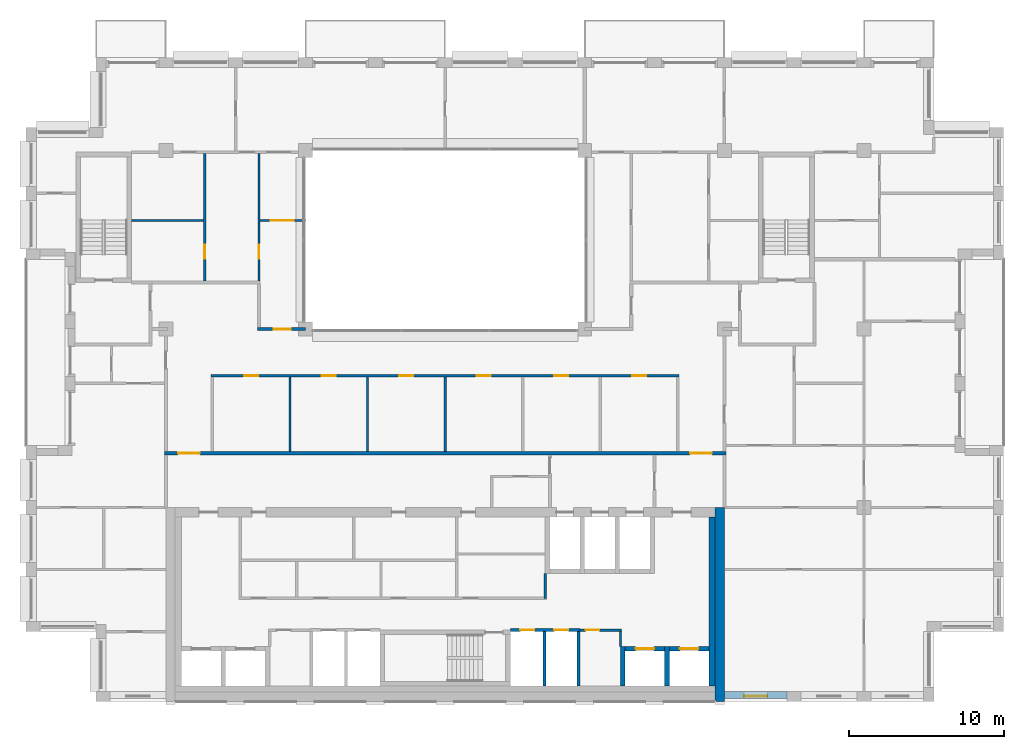
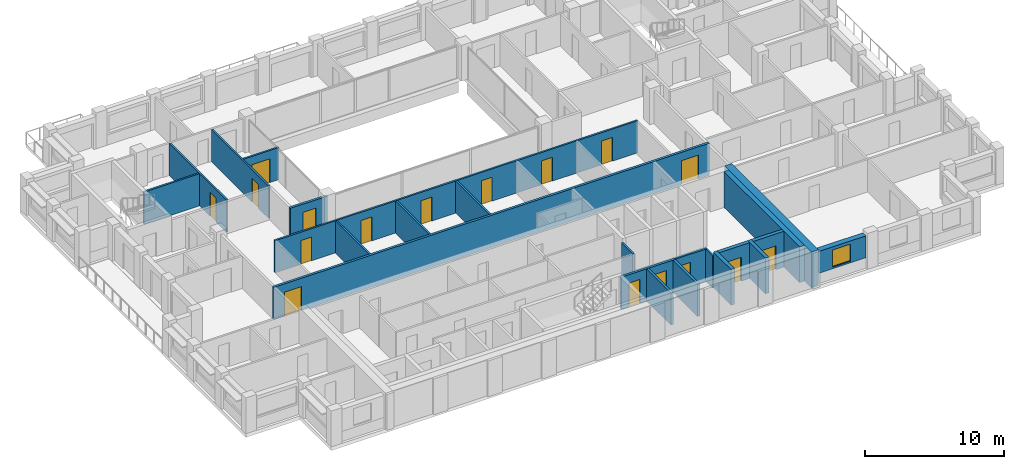
# One storey, part 10 of 15: 23 walls, 17 doors, 1 window, 18 openings.
"""IFC4 building model written with IfcOpenShell, lengths in metres."""

from ifc_helpers import new_model, si_unit, direction, frame, frame_2d, origin, place, context, subcontext, project, spatial, rectangle, extrude, material, layer, layer_set, type_object, element, fill, save


model = new_model("IFC4")

# Units and contexts
model_context = context("Model", 3, precision=1e-05, world=origin(), true_north=direction((0.0, 1.0)))
body_context = subcontext(model_context, "Body", "Model", "MODEL_VIEW")
ifc_project = project(units=[si_unit("LENGTHUNIT", "METRE"), si_unit("AREAUNIT", "SQUARE_METRE"), si_unit("VOLUMEUNIT", "CUBIC_METRE"), si_unit("PLANEANGLEUNIT", "RADIAN"), si_unit("MASSUNIT", "GRAM", prefix="KILO")], contexts=[model_context])

# Site, building, storey
site_placement = place(None, origin())
site = spatial("IfcSite", under=ifc_project, at=site_placement, CompositionType="ELEMENT")
building_placement = place(site_placement, origin())
building = spatial("IfcBuilding", under=site, at=building_placement, Name="Brigalow Station Residences", CompositionType="ELEMENT")
storey_placement = place(building_placement, frame((0.0, 0.0, 210.60009765625)))
storey = spatial("IfcBuildingStorey", under=building, at=storey_placement, Name="L60", CompositionType="ELEMENT", Elevation=210.60009765625)

# Wall, opening, window
ifc_material_1 = material(Name="Clay brick masonry", Category="masonry")
ifc_layer_1 = layer(ifc_material_1, 0.449951171875)
ifc_layer_set_1 = layer_set([ifc_layer_1], Name="BRICK INFILL WALL 450")
wall_type_1 = type_object("IfcWallType", Name="BRICK INFILL WALL 450", PredefinedType="SOLIDWALL", material=ifc_layer_set_1)
wall_1_placement = place(storey_placement, frame((54.0, 0.425048828125, 0.89990234375), z_axis=(0.0, 0.0, 1.0), x_axis=(1.0, 0.0, 0.0)))
wall_1 = element("IfcWall", 1, at=wall_1_placement, inside=storey, type_object=wall_type_1, Name="L60/ewall/W-L60-3", PredefinedType="SOLIDWALL", context=body_context, shape_type="SweptSolid", body=[
    extrude(rectangle(XDim=4.050048828125, YDim=0.449951171875, at=frame_2d((2.02490234375, 0.0))), origin(), (0.0, 0.0, 1.0), 1.929931640625),
])
opening_1_placement = place(wall_1_placement, frame((1.27490234375, 0.0, 0.14990234375)))
opening_1 = element("IfcOpeningElement", 2, at=opening_1_placement, cuts=wall_1, Name="Opening WT-1", PredefinedType="OPENING", context=body_context, shape_type="SweptSolid", body=[
    extrude(rectangle(XDim=1.5, YDim=1.5, at=frame_2d((0.75, 0.75))), frame((0.0, 0.23486328125, 0.0), z_axis=(0.0, -1.0, 0.0), x_axis=(1.0, 0.0, 0.0)), (0.0, 0.0, 1.0), 0.469970703125),
])
ifc_material_2 = material(Name="Anodised aluminium frame with double glazing", Category="aluminium")
window_type = type_object("IfcWindowType", Name="WINDOW 1500x1500", PartitioningType="SINGLE_PANEL", PredefinedType="WINDOW", material=ifc_material_2)
window_placement = place(opening_1_placement, origin())
window = element("IfcWindow", 3, at=window_placement, inside=storey, type_object=window_type, Name="L60/window/W-L60-3", OverallHeight=1.5, OverallWidth=1.5, PartitioningType="SINGLE_PANEL", PredefinedType="WINDOW", context=body_context, shape_type="SweptSolid", body=[
    extrude(rectangle(XDim=1.5, YDim=1.5, at=frame_2d((0.75, 0.75))), frame((0.0, -0.06494140625, 0.0), z_axis=(0.0, -1.0, 0.0), x_axis=(1.0, 0.0, 0.0)), (0.0, 0.0, 1.0), 0.06005859375),
])
fill(opening_1, window)

# Wall, opening, door
ifc_material_3 = material(Name="Concrete C50", Category="concrete")
ifc_layer_2 = layer(ifc_material_3, 0.300048828125)
ifc_layer_set_2 = layer_set([ifc_layer_2], Name="CORE SHEAR WALL 300 C50")
wall_type_2 = type_object("IfcWallType", Name="CORE SHEAR WALL 300 C50", PredefinedType="SHEAR", material=ifc_layer_set_2)
wall_2_placement = place(storey_placement, frame((47.60009765625, 3.39990234375, 0.0), z_axis=(0.0, 0.0, 1.0), x_axis=(1.0, 0.0, 0.0)))
wall_2 = element("IfcWall", 4, at=wall_2_placement, inside=storey, type_object=wall_type_2, Name="CORE WALL SH-C3-N L60", PredefinedType="SHEAR", context=body_context, shape_type="SweptSolid", body=[
    extrude(rectangle(XDim=2.5498046875, YDim=0.300048828125, at=frame_2d((1.27490234375, 0.0))), origin(), (0.0, 0.0, 1.0), 3.14990234375),
])
opening_2_placement = place(wall_2_placement, frame((0.675048828125, 0.0, 0.0)))
opening_2 = element("IfcOpeningElement", 5, at=opening_2_placement, cuts=wall_2, Name="Opening LD-LB3", PredefinedType="OPENING", context=body_context, shape_type="SweptSolid", body=[
    extrude(rectangle(XDim=1.199951171875, YDim=2.10009765625, at=frame_2d((0.60009765625, 1.050048828125))), frame((0.0, 0.16015625, 0.0), z_axis=(0.0, -1.0, 0.0), x_axis=(1.0, 0.0, 0.0)), (0.0, 0.0, 1.0), 0.320068359375),
])
ifc_material_4 = material(Name="Stainless steel sliding door leaves", Category="steel")
door_type_1 = type_object("IfcDoorType", Name="LIFT LANDING DOOR 1200 x 2100", OperationType="DOUBLE_DOOR_SLIDING", PredefinedType="DOOR", material=ifc_material_4)
door_1_placement = place(opening_2_placement, origin())
door_1 = element("IfcDoor", 6, at=door_1_placement, inside=storey, type_object=door_type_1, Name="LANDING DOOR LB3", OperationType="DOUBLE_DOOR_SLIDING", OverallHeight=2.10009765625, OverallWidth=1.199951171875, PredefinedType="DOOR", context=body_context, shape_type="SweptSolid", body=[
    extrude(rectangle(XDim=1.199951171875, YDim=2.10009765625, at=frame_2d((0.60009765625, 1.050048828125))), frame((0.0, 0.02490234375, 0.0), z_axis=(0.0, -1.0, 0.0), x_axis=(1.0, 0.0, 0.0)), (0.0, 0.0, 1.0), 0.050048828125),
])
fill(opening_2, door_1)

# Wall
wall_3_placement = place(storey_placement, frame((47.449951171875, 1.0, 0.0), z_axis=(0.0, 0.0, 1.0), x_axis=(0.0, 1.0, 0.0)))
element("IfcWall", 7, at=wall_3_placement, inside=storey, type_object=wall_type_2, Name="CORE WALL SH-C3-W L60", PredefinedType="SHEAR", context=body_context, shape_type="SweptSolid", body=[
    extrude(rectangle(XDim=2.550048828125, YDim=0.300048828125, at=frame_2d((1.27490234375, 0.0))), origin(), (0.0, 0.0, 1.0), 3.14990234375),
])

# Wall, opening, door
wall_4_placement = place(storey_placement, frame((50.449951171875, 3.39990234375, 0.0), z_axis=(0.0, 0.0, 1.0), x_axis=(1.0, 0.0, 0.0)))
wall_4 = element("IfcWall", 8, at=wall_4_placement, inside=storey, type_object=wall_type_2, Name="CORE WALL SH-C4-N L60", PredefinedType="SHEAR", context=body_context, shape_type="SweptSolid", body=[
    extrude(rectangle(XDim=2.550048828125, YDim=0.300048828125, at=frame_2d((1.27490234375, 0.0))), origin(), (0.0, 0.0, 1.0), 3.14990234375),
])
opening_3_placement = place(wall_4_placement, frame((0.675048828125, 0.0, 0.0)))
opening_3 = element("IfcOpeningElement", 9, at=opening_3_placement, cuts=wall_4, Name="Opening LD-LB4", PredefinedType="OPENING", context=body_context, shape_type="SweptSolid", body=[
    extrude(rectangle(XDim=1.199951171875, YDim=2.10009765625, at=frame_2d((0.60009765625, 1.050048828125))), frame((0.0, 0.16015625, 0.0), z_axis=(0.0, -1.0, 0.0), x_axis=(1.0, 0.0, 0.0)), (0.0, 0.0, 1.0), 0.320068359375),
])
door_2_placement = place(opening_3_placement, origin())
door_2 = element("IfcDoor", 10, at=door_2_placement, inside=storey, type_object=door_type_1, Name="LANDING DOOR LB4", OperationType="DOUBLE_DOOR_SLIDING", OverallHeight=2.10009765625, OverallWidth=1.199951171875, PredefinedType="DOOR", context=body_context, shape_type="SweptSolid", body=[
    extrude(rectangle(XDim=1.199951171875, YDim=2.10009765625, at=frame_2d((0.60009765625, 1.050048828125))), frame((0.0, 0.02490234375, 0.0), z_axis=(0.0, -1.0, 0.0), x_axis=(1.0, 0.0, 0.0)), (0.0, 0.0, 1.0), 0.050048828125),
])
fill(opening_3, door_2)

# Walls
wall_5_placement = place(storey_placement, frame((50.300048828125, 1.0, 0.0), z_axis=(0.0, 0.0, 1.0), x_axis=(0.0, 1.0, 0.0)))
element("IfcWall", 11, at=wall_5_placement, inside=storey, type_object=wall_type_2, Name="CORE WALL SH-C4-W L60", PredefinedType="SHEAR", context=body_context, shape_type="SweptSolid", body=[
    extrude(rectangle(XDim=2.550048828125, YDim=0.300048828125, at=frame_2d((1.27490234375, 0.0))), origin(), (0.0, 0.0, 1.0), 3.14990234375),
])
ifc_material_5 = material(Name="Concrete C50", Category="concrete")
ifc_layer_3 = layer(ifc_material_5, 0.39990234375)
ifc_layer_set_3 = layer_set([ifc_layer_3], Name="CORE SHEAR WALL 400 C50")
wall_type_3 = type_object("IfcWallType", Name="CORE SHEAR WALL 400 C50", PredefinedType="SHEAR", material=ifc_layer_set_3)
wall_6_placement = place(storey_placement, frame((53.199951171875, 1.0, 0.0), z_axis=(0.0, 0.0, 1.0), x_axis=(0.0, 1.0, 0.0)))
element("IfcWall", 12, at=wall_6_placement, inside=storey, type_object=wall_type_3, Name="CORE WALL LIN-E L60", PredefinedType="SHEAR", context=body_context, shape_type="SweptSolid", body=[
    extrude(rectangle(XDim=10.89990234375, YDim=0.39990234375, at=frame_2d((5.449951171875, 0.0))), origin(), (0.0, 0.0, 1.0), 3.14990234375),
])
ifc_material_6 = material(Name="Concrete C50", Category="concrete")
ifc_layer_4 = layer(ifc_material_6, 0.60009765625)
ifc_layer_set_4 = layer_set([ifc_layer_4], Name="CORE SHEAR WALL 600 C50")
wall_type_4 = type_object("IfcWallType", Name="CORE SHEAR WALL 600 C50", PredefinedType="SHEAR", material=ifc_layer_set_4)
wall_7_placement = place(storey_placement, frame((53.699951171875, 0.0, 0.0), z_axis=(0.0, 0.0, 1.0), x_axis=(0.0, 1.0, 0.0)))
element("IfcWall", 13, at=wall_7_placement, inside=storey, type_object=wall_type_4, Name="CORE WALL OUT-E L60", PredefinedType="SHEAR", context=body_context, shape_type="SweptSolid", body=[
    extrude(rectangle(XDim=12.5, YDim=0.60009765625, at=frame_2d((6.25, 0.0))), origin(), (0.0, 0.0, 1.0), 3.14990234375),
])

# Wall, openings, doors
ifc_material_7 = material(Name="Concrete blockwork", Category="masonry")
ifc_layer_5 = layer(ifc_material_7, 0.199951171875)
ifc_layer_set_5 = layer_set([ifc_layer_5], Name="FIRE RATED CORE PARTITION 200")
wall_type_5 = type_object("IfcWallType", Name="FIRE RATED CORE PARTITION 200", PredefinedType="PARTITIONING", material=ifc_layer_set_5)
wall_8_placement = place(storey_placement, frame((40.199951171875, 4.60009765625, 0.0), z_axis=(0.0, 0.0, 1.0), x_axis=(1.0, 0.0, 0.0)))
wall_8 = element("IfcWall", 14, at=wall_8_placement, inside=storey, type_object=wall_type_5, Name="PW-5018", PredefinedType="PARTITIONING", context=body_context, shape_type="SweptSolid", body=[
    extrude(rectangle(XDim=4.5, YDim=0.199951171875, at=frame_2d((2.25, 0.0))), origin(), (0.0, 0.0, 1.0), 2.829833984375),
])
opening_4_placement = place(wall_8_placement, frame((0.64990234375, 0.0, 0.0)))
opening_4 = element("IfcOpeningElement", 15, at=opening_4_placement, cuts=wall_8, Name="Opening D-5009", PredefinedType="OPENING", context=body_context, shape_type="SweptSolid", body=[
    extrude(rectangle(XDim=0.89990234375, YDim=2.10009765625, at=frame_2d((0.449951171875, 1.050048828125))), frame((0.0, 0.10986328125, 0.0), z_axis=(0.0, -1.0, 0.0), x_axis=(1.0, 0.0, 0.0)), (0.0, 0.0, 1.0), 0.219970703125),
])
opening_5_placement = place(wall_8_placement, frame((2.85009765625, 0.0, 0.0)))
opening_5 = element("IfcOpeningElement", 16, at=opening_5_placement, cuts=wall_8, Name="Opening D-5010", PredefinedType="OPENING", context=body_context, shape_type="SweptSolid", body=[
    extrude(rectangle(XDim=0.89990234375, YDim=2.10009765625, at=frame_2d((0.449951171875, 1.050048828125))), frame((0.0, 0.10986328125, 0.0), z_axis=(0.0, -1.0, 0.0), x_axis=(1.0, 0.0, 0.0)), (0.0, 0.0, 1.0), 0.219970703125),
])
ifc_material_8 = material(Name="Steel fire door leaf in steel frame", Category="steel")
door_type_2 = type_object("IfcDoorType", Name="RISER ACCESS DOOR 900 x 2100 FD120", OperationType="SINGLE_SWING_LEFT", PredefinedType="DOOR", material=ifc_material_8)
door_3_placement = place(opening_4_placement, frame((0.89990234375, 0.0, 0.0), z_axis=(0.0, 0.0, 1.0), x_axis=(-1.0, 0.0, 0.0)))
door_3 = element("IfcDoor", 17, at=door_3_placement, inside=storey, type_object=door_type_2, Name="D-5009", OperationType="SINGLE_SWING_LEFT", OverallHeight=2.10009765625, OverallWidth=0.89990234375, PredefinedType="DOOR", context=body_context, shape_type="SweptSolid", body=[
    extrude(rectangle(XDim=0.89990234375, YDim=2.10009765625, at=frame_2d((0.449951171875, 1.050048828125))), frame((0.0, 0.02490234375, 0.0), z_axis=(0.0, -1.0, 0.0), x_axis=(1.0, 0.0, 0.0)), (0.0, 0.0, 1.0), 0.050048828125),
])
fill(opening_4, door_3)
door_4_placement = place(opening_5_placement, frame((0.89990234375, 0.0, 0.0), z_axis=(0.0, 0.0, 1.0), x_axis=(-1.0, 0.0, 0.0)))
door_4 = element("IfcDoor", 18, at=door_4_placement, inside=storey, type_object=door_type_2, Name="D-5010", OperationType="SINGLE_SWING_LEFT", OverallHeight=2.10009765625, OverallWidth=0.89990234375, PredefinedType="DOOR", context=body_context, shape_type="SweptSolid", body=[
    extrude(rectangle(XDim=0.89990234375, YDim=2.10009765625, at=frame_2d((0.449951171875, 1.050048828125))), frame((0.0, 0.02490234375, 0.0), z_axis=(0.0, -1.0, 0.0), x_axis=(1.0, 0.0, 0.0)), (0.0, 0.0, 1.0), 0.050048828125),
])
fill(opening_5, door_4)

# Walls
for number, where, z_axis, x_axis, name in (
    (19, (42.39990234375, 1.0, 0.0), (0.0, 0.0, 1.0), (0.0, 1.0, 0.0), "PW-5007"),
    (20, (44.60009765625, 1.0, 0.0), (0.0, 0.0, 1.0), (0.0, 1.0, 0.0), "PW-5008"),
):
    element("IfcWall", number, at=place(storey_placement, frame(where, z_axis=z_axis, x_axis=x_axis)), inside=storey, type_object=wall_type_5, Name=name, PredefinedType="PARTITIONING", context=body_context, shape_type="SweptSolid", body=[
        extrude(rectangle(XDim=3.5, YDim=0.199951171875, at=frame_2d((1.75, 0.0))), origin(), (0.0, 0.0, 1.0), 2.829833984375),
    ])

# Wall, openings, doors
ifc_material_9 = material(Name="Plasterboard on steel stud partition", Category="steel")
ifc_layer_6 = layer(ifc_material_9, 0.14990234375)
ifc_layer_set_6 = layer_set([ifc_layer_6], Name="FLAT PARTITION 150")
wall_type_6 = type_object("IfcWallType", Name="FLAT PARTITION 150", PredefinedType="PARTITIONING", material=ifc_layer_set_6)
wall_9_placement = place(storey_placement, frame((20.925048828125, 21.0, 0.0), z_axis=(0.0, 0.0, 1.0), x_axis=(1.0, 0.0, 0.0)))
wall_9 = element("IfcWall", 21, at=wall_9_placement, inside=storey, type_object=wall_type_6, Name="PW-4B05", PredefinedType="PARTITIONING", context=body_context, shape_type="SweptSolid", body=[
    extrude(rectangle(XDim=30.14990234375, YDim=0.14990234375, at=frame_2d((15.074951171875, 0.0))), origin(), (0.0, 0.0, 1.0), 2.829833984375),
])
opening_6_placement = place(wall_9_placement, frame((2.125, 0.0, 0.0)))
opening_6 = element("IfcOpeningElement", 22, at=opening_6_placement, cuts=wall_9, Name="Opening D-4B42", PredefinedType="OPENING", context=body_context, shape_type="SweptSolid", body=[
    extrude(rectangle(XDim=0.89990234375, YDim=2.10009765625, at=frame_2d((0.449951171875, 1.050048828125))), frame((0.0, 0.0849609375, 0.0), z_axis=(0.0, -1.0, 0.0), x_axis=(1.0, 0.0, 0.0)), (0.0, 0.0, 1.0), 0.169921875),
])
opening_7_placement = place(wall_9_placement, frame((7.125, 0.0, 0.0)))
opening_7 = element("IfcOpeningElement", 23, at=opening_7_placement, cuts=wall_9, Name="Opening D-4B43", PredefinedType="OPENING", context=body_context, shape_type="SweptSolid", body=[
    extrude(rectangle(XDim=0.89990234375, YDim=2.10009765625, at=frame_2d((0.449951171875, 1.050048828125))), frame((0.0, 0.0849609375, 0.0), z_axis=(0.0, -1.0, 0.0), x_axis=(1.0, 0.0, 0.0)), (0.0, 0.0, 1.0), 0.169921875),
])
opening_8_placement = place(wall_9_placement, frame((12.125, 0.0, 0.0)))
opening_8 = element("IfcOpeningElement", 24, at=opening_8_placement, cuts=wall_9, Name="Opening D-4B44", PredefinedType="OPENING", context=body_context, shape_type="SweptSolid", body=[
    extrude(rectangle(XDim=0.89990234375, YDim=2.10009765625, at=frame_2d((0.449951171875, 1.050048828125))), frame((0.0, 0.0849609375, 0.0), z_axis=(0.0, -1.0, 0.0), x_axis=(1.0, 0.0, 0.0)), (0.0, 0.0, 1.0), 0.169921875),
])
opening_9_placement = place(wall_9_placement, frame((17.125, 0.0, 0.0)))
opening_9 = element("IfcOpeningElement", 25, at=opening_9_placement, cuts=wall_9, Name="Opening D-4B45", PredefinedType="OPENING", context=body_context, shape_type="SweptSolid", body=[
    extrude(rectangle(XDim=0.89990234375, YDim=2.10009765625, at=frame_2d((0.449951171875, 1.050048828125))), frame((0.0, 0.0849609375, 0.0), z_axis=(0.0, -1.0, 0.0), x_axis=(1.0, 0.0, 0.0)), (0.0, 0.0, 1.0), 0.169921875),
])
opening_10_placement = place(wall_9_placement, frame((22.125, 0.0, 0.0)))
opening_10 = element("IfcOpeningElement", 26, at=opening_10_placement, cuts=wall_9, Name="Opening D-4B46", PredefinedType="OPENING", context=body_context, shape_type="SweptSolid", body=[
    extrude(rectangle(XDim=0.89990234375, YDim=2.10009765625, at=frame_2d((0.449951171875, 1.050048828125))), frame((0.0, 0.0849609375, 0.0), z_axis=(0.0, -1.0, 0.0), x_axis=(1.0, 0.0, 0.0)), (0.0, 0.0, 1.0), 0.169921875),
])
opening_11_placement = place(wall_9_placement, frame((27.125, 0.0, 0.0)))
opening_11 = element("IfcOpeningElement", 27, at=opening_11_placement, cuts=wall_9, Name="Opening D-4B47", PredefinedType="OPENING", context=body_context, shape_type="SweptSolid", body=[
    extrude(rectangle(XDim=0.89990234375, YDim=2.10009765625, at=frame_2d((0.449951171875, 1.050048828125))), frame((0.0, 0.0849609375, 0.0), z_axis=(0.0, -1.0, 0.0), x_axis=(1.0, 0.0, 0.0)), (0.0, 0.0, 1.0), 0.169921875),
])
ifc_material_10 = material(Name="Solid-core timber door leaf", Category="wood")
door_type_3 = type_object("IfcDoorType", Name="INTERNAL DOOR 900 x 2100", OperationType="SINGLE_SWING_LEFT", PredefinedType="DOOR", material=ifc_material_10)
door_5_placement = place(opening_6_placement, frame((0.89990234375, 0.0, 0.0), z_axis=(0.0, 0.0, 1.0), x_axis=(-1.0, 0.0, 0.0)))
door_5 = element("IfcDoor", 28, at=door_5_placement, inside=storey, type_object=door_type_3, Name="D-4B42", OperationType="SINGLE_SWING_LEFT", OverallHeight=2.10009765625, OverallWidth=0.89990234375, PredefinedType="DOOR", context=body_context, shape_type="SweptSolid", body=[
    extrude(rectangle(XDim=0.89990234375, YDim=2.10009765625, at=frame_2d((0.449951171875, 1.050048828125))), frame((0.0, 0.02490234375, 0.0), z_axis=(0.0, -1.0, 0.0), x_axis=(1.0, 0.0, 0.0)), (0.0, 0.0, 1.0), 0.050048828125),
])
fill(opening_6, door_5)
door_6_placement = place(opening_7_placement, frame((0.89990234375, 0.0, 0.0), z_axis=(0.0, 0.0, 1.0), x_axis=(-1.0, 0.0, 0.0)))
door_6 = element("IfcDoor", 29, at=door_6_placement, inside=storey, type_object=door_type_3, Name="D-4B43", OperationType="SINGLE_SWING_LEFT", OverallHeight=2.10009765625, OverallWidth=0.89990234375, PredefinedType="DOOR", context=body_context, shape_type="SweptSolid", body=[
    extrude(rectangle(XDim=0.89990234375, YDim=2.10009765625, at=frame_2d((0.449951171875, 1.050048828125))), frame((0.0, 0.02490234375, 0.0), z_axis=(0.0, -1.0, 0.0), x_axis=(1.0, 0.0, 0.0)), (0.0, 0.0, 1.0), 0.050048828125),
])
fill(opening_7, door_6)
door_7_placement = place(opening_8_placement, frame((0.89990234375, 0.0, 0.0), z_axis=(0.0, 0.0, 1.0), x_axis=(-1.0, 0.0, 0.0)))
door_7 = element("IfcDoor", 30, at=door_7_placement, inside=storey, type_object=door_type_3, Name="D-4B44", OperationType="SINGLE_SWING_LEFT", OverallHeight=2.10009765625, OverallWidth=0.89990234375, PredefinedType="DOOR", context=body_context, shape_type="SweptSolid", body=[
    extrude(rectangle(XDim=0.89990234375, YDim=2.10009765625, at=frame_2d((0.449951171875, 1.050048828125))), frame((0.0, 0.02490234375, 0.0), z_axis=(0.0, -1.0, 0.0), x_axis=(1.0, 0.0, 0.0)), (0.0, 0.0, 1.0), 0.050048828125),
])
fill(opening_8, door_7)
door_8_placement = place(opening_9_placement, frame((0.89990234375, 0.0, 0.0), z_axis=(0.0, 0.0, 1.0), x_axis=(-1.0, 0.0, 0.0)))
door_8 = element("IfcDoor", 31, at=door_8_placement, inside=storey, type_object=door_type_3, Name="D-4B45", OperationType="SINGLE_SWING_RIGHT", OverallHeight=2.10009765625, OverallWidth=0.89990234375, PredefinedType="DOOR", context=body_context, shape_type="SweptSolid", body=[
    extrude(rectangle(XDim=0.89990234375, YDim=2.10009765625, at=frame_2d((0.449951171875, 1.050048828125))), frame((0.0, 0.02490234375, 0.0), z_axis=(0.0, -1.0, 0.0), x_axis=(1.0, 0.0, 0.0)), (0.0, 0.0, 1.0), 0.050048828125),
])
fill(opening_9, door_8)
door_9_placement = place(opening_10_placement, frame((0.89990234375, 0.0, 0.0), z_axis=(0.0, 0.0, 1.0), x_axis=(-1.0, 0.0, 0.0)))
door_9 = element("IfcDoor", 32, at=door_9_placement, inside=storey, type_object=door_type_3, Name="D-4B46", OperationType="SINGLE_SWING_RIGHT", OverallHeight=2.10009765625, OverallWidth=0.89990234375, PredefinedType="DOOR", context=body_context, shape_type="SweptSolid", body=[
    extrude(rectangle(XDim=0.89990234375, YDim=2.10009765625, at=frame_2d((0.449951171875, 1.050048828125))), frame((0.0, 0.02490234375, 0.0), z_axis=(0.0, -1.0, 0.0), x_axis=(1.0, 0.0, 0.0)), (0.0, 0.0, 1.0), 0.050048828125),
])
fill(opening_10, door_9)
door_10_placement = place(opening_11_placement, frame((0.89990234375, 0.0, 0.0), z_axis=(0.0, 0.0, 1.0), x_axis=(-1.0, 0.0, 0.0)))
door_10 = element("IfcDoor", 33, at=door_10_placement, inside=storey, type_object=door_type_3, Name="D-4B47", OperationType="SINGLE_SWING_RIGHT", OverallHeight=2.10009765625, OverallWidth=0.89990234375, PredefinedType="DOOR", context=body_context, shape_type="SweptSolid", body=[
    extrude(rectangle(XDim=0.89990234375, YDim=2.10009765625, at=frame_2d((0.449951171875, 1.050048828125))), frame((0.0, 0.02490234375, 0.0), z_axis=(0.0, -1.0, 0.0), x_axis=(1.0, 0.0, 0.0)), (0.0, 0.0, 1.0), 0.050048828125),
])
fill(opening_11, door_10)

# Wall
wall_10_placement = place(storey_placement, frame((15.800048828125, 31.0, 0.0), z_axis=(0.0, 0.0, 1.0), x_axis=(1.0, 0.0, 0.0)))
element("IfcWall", 34, at=wall_10_placement, inside=storey, type_object=wall_type_6, Name="PW-4B15", PredefinedType="PARTITIONING", context=body_context, shape_type="SweptSolid", body=[
    extrude(rectangle(XDim=4.625, YDim=0.14990234375, at=frame_2d((2.3125, 0.0))), origin(), (0.0, 0.0, 1.0), 2.829833984375),
])

# Wall, opening, door
wall_11_placement = place(storey_placement, frame((24.074951171875, 31.0, 0.0), z_axis=(0.0, 0.0, 1.0), x_axis=(1.0, 0.0, 0.0)))
wall_11 = element("IfcWall", 35, at=wall_11_placement, inside=storey, type_object=wall_type_6, Name="PW-4B16", PredefinedType="PARTITIONING", context=body_context, shape_type="SweptSolid", body=[
    extrude(rectangle(XDim=2.925048828125, YDim=0.14990234375, at=frame_2d((1.46240234375, 0.0))), origin(), (0.0, 0.0, 1.0), 2.829833984375),
])
opening_12_placement = place(wall_11_placement, frame((0.675048828125, 0.0, 0.0)))
opening_12 = element("IfcOpeningElement", 36, at=opening_12_placement, cuts=wall_11, Name="Opening D-4B11", PredefinedType="OPENING", context=body_context, shape_type="SweptSolid", body=[
    extrude(rectangle(XDim=1.5, YDim=2.10009765625, at=frame_2d((0.75, 1.050048828125))), frame((0.0, 0.0849609375, 0.0), z_axis=(0.0, -1.0, 0.0), x_axis=(1.0, 0.0, 0.0)), (0.0, 0.0, 1.0), 0.169921875),
])
ifc_material_11 = material(Name="Solid-core timber door leaf", Category="wood")
door_type_4 = type_object("IfcDoorType", Name="INTERNAL DOUBLE DOOR 1500 x 2100", OperationType="DOUBLE_DOOR_SINGLE_SWING", PredefinedType="DOOR", material=ifc_material_11)
door_11_placement = place(opening_12_placement, frame((1.5, 0.0, 0.0), z_axis=(0.0, 0.0, 1.0), x_axis=(-1.0, 0.0, 0.0)))
door_11 = element("IfcDoor", 37, at=door_11_placement, inside=storey, type_object=door_type_4, Name="D-4B11", OperationType="DOUBLE_DOOR_SINGLE_SWING", OverallHeight=2.10009765625, OverallWidth=1.5, PredefinedType="DOOR", context=body_context, shape_type="SweptSolid", body=[
    extrude(rectangle(XDim=1.5, YDim=2.10009765625, at=frame_2d((0.75, 1.050048828125))), frame((0.0, 0.02490234375, 0.0), z_axis=(0.0, -1.0, 0.0), x_axis=(1.0, 0.0, 0.0)), (0.0, 0.0, 1.0), 0.050048828125),
])
fill(opening_12, door_11)

wall_12_placement = place(storey_placement, frame((24.0, 27.10009765625, 0.0), z_axis=(0.0, 0.0, 1.0), x_axis=(0.0, 1.0, 0.0)))
wall_12 = element("IfcWall", 38, at=wall_12_placement, inside=storey, type_object=wall_type_6, Name="PW-4B33", PredefinedType="PARTITIONING", context=body_context, shape_type="SweptSolid", body=[
    extrude(rectangle(XDim=8.224853515625, YDim=0.14990234375, at=frame_2d((4.1123046875, 0.0))), origin(), (0.0, 0.0, 1.0), 2.829833984375),
])
opening_13_placement = place(wall_12_placement, frame((1.449951171875, 0.0, 0.0)))
opening_13 = element("IfcOpeningElement", 39, at=opening_13_placement, cuts=wall_12, Name="Opening D-4B12", PredefinedType="OPENING", context=body_context, shape_type="SweptSolid", body=[
    extrude(rectangle(XDim=0.89990234375, YDim=2.10009765625, at=frame_2d((0.449951171875, 1.050048828125))), frame((0.0, 0.0849609375, 0.0), z_axis=(0.0, -1.0, 0.0), x_axis=(1.0, 0.0, 0.0)), (0.0, 0.0, 1.0), 0.169921875),
])
door_12_placement = place(opening_13_placement, frame((0.89990234375, 0.0, 0.0), z_axis=(0.0, 0.0, 1.0), x_axis=(-1.0, 0.0, 0.0)))
door_12 = element("IfcDoor", 40, at=door_12_placement, inside=storey, type_object=door_type_3, Name="D-4B12", OperationType="SINGLE_SWING_LEFT", OverallHeight=2.10009765625, OverallWidth=0.89990234375, PredefinedType="DOOR", context=body_context, shape_type="SweptSolid", body=[
    extrude(rectangle(XDim=0.89990234375, YDim=2.10009765625, at=frame_2d((0.449951171875, 1.050048828125))), frame((0.0, 0.02490234375, 0.0), z_axis=(0.0, -1.0, 0.0), x_axis=(1.0, 0.0, 0.0)), (0.0, 0.0, 1.0), 0.050048828125),
])
fill(opening_13, door_12)

wall_13_placement = place(storey_placement, frame((20.5, 27.10009765625, 0.0), z_axis=(0.0, 0.0, 1.0), x_axis=(0.0, 1.0, 0.0)))
wall_13 = element("IfcWall", 41, at=wall_13_placement, inside=storey, type_object=wall_type_6, Name="PW-4B39", PredefinedType="PARTITIONING", context=body_context, shape_type="SweptSolid", body=[
    extrude(rectangle(XDim=8.224853515625, YDim=0.14990234375, at=frame_2d((4.1123046875, 0.0))), origin(), (0.0, 0.0, 1.0), 2.829833984375),
])
opening_14_placement = place(wall_13_placement, frame((1.449951171875, 0.0, 0.0)))
opening_14 = element("IfcOpeningElement", 42, at=opening_14_placement, cuts=wall_13, Name="Opening D-4B13", PredefinedType="OPENING", context=body_context, shape_type="SweptSolid", body=[
    extrude(rectangle(XDim=0.89990234375, YDim=2.10009765625, at=frame_2d((0.449951171875, 1.050048828125))), frame((0.0, 0.0849609375, 0.0), z_axis=(0.0, -1.0, 0.0), x_axis=(1.0, 0.0, 0.0)), (0.0, 0.0, 1.0), 0.169921875),
])
door_13_placement = place(opening_14_placement, origin())
door_13 = element("IfcDoor", 43, at=door_13_placement, inside=storey, type_object=door_type_3, Name="D-4B13", OperationType="SINGLE_SWING_LEFT", OverallHeight=2.10009765625, OverallWidth=0.89990234375, PredefinedType="DOOR", context=body_context, shape_type="SweptSolid", body=[
    extrude(rectangle(XDim=0.89990234375, YDim=2.10009765625, at=frame_2d((0.449951171875, 1.050048828125))), frame((0.0, 0.02490234375, 0.0), z_axis=(0.0, -1.0, 0.0), x_axis=(1.0, 0.0, 0.0)), (0.0, 0.0, 1.0), 0.050048828125),
])
fill(opening_14, door_13)

# Walls
for number, where, z_axis, x_axis, name in (
    (44, (36.0, 16.10009765625, 0.0), (0.0, 0.0, 1.0), (0.0, 1.0, 0.0), "PW-4B41"),
    (45, (26.0, 16.10009765625, 0.0), (0.0, 0.0, 1.0), (0.0, 1.0, 0.0), "PW-4B52"),
    (46, (31.0, 16.10009765625, 0.0), (0.0, 0.0, 1.0), (0.0, 1.0, 0.0), "PW-4B53"),
):
    element("IfcWall", number, at=place(storey_placement, frame(where, z_axis=z_axis, x_axis=x_axis)), inside=storey, type_object=wall_type_6, Name=name, PredefinedType="PARTITIONING", context=body_context, shape_type="SweptSolid", body=[
        extrude(rectangle(XDim=4.824951171875, YDim=0.14990234375, at=frame_2d((2.41259765625, 0.0))), origin(), (0.0, 0.0, 1.0), 2.829833984375),
    ])

# Wall, opening, door
ifc_material_12 = material(Name="Plasterboard on steel stud partition", Category="steel")
ifc_layer_7 = layer(ifc_material_12, 0.199951171875)
ifc_layer_set_7 = layer_set([ifc_layer_7], Name="PARTY AND CORRIDOR WALL 200")
wall_type_7 = type_object("IfcWallType", Name="PARTY AND CORRIDOR WALL 200", PredefinedType="PARTITIONING", material=ifc_layer_set_7)
wall_14_placement = place(storey_placement, frame((23.89990234375, 24.0, 0.0), z_axis=(0.0, 0.0, 1.0), x_axis=(1.0, 0.0, 0.0)))
wall_14 = element("IfcWall", 47, at=wall_14_placement, inside=storey, type_object=wall_type_7, Name="PW-4B02", PredefinedType="PARTITIONING", context=body_context, shape_type="SweptSolid", body=[
    extrude(rectangle(XDim=3.10009765625, YDim=0.199951171875, at=frame_2d((1.550048828125, 0.0))), origin(), (0.0, 0.0, 1.0), 2.829833984375),
])
opening_15_placement = place(wall_14_placement, frame((1.050048828125, 0.0, 0.0)))
opening_15 = element("IfcOpeningElement", 48, at=opening_15_placement, cuts=wall_14, Name="Opening D-4B10", PredefinedType="OPENING", context=body_context, shape_type="SweptSolid", body=[
    extrude(rectangle(XDim=1.10009765625, YDim=2.10009765625, at=frame_2d((0.550048828125, 1.050048828125))), frame((0.0, 0.10986328125, 0.0), z_axis=(0.0, -1.0, 0.0), x_axis=(1.0, 0.0, 0.0)), (0.0, 0.0, 1.0), 0.219970703125),
])
ifc_material_13 = material(Name="Solid-core timber door leaf", Category="wood")
door_type_5 = type_object("IfcDoorType", Name="FLAT ENTRANCE DOOR 1100 x 2100 FRL -/60/30", OperationType="SINGLE_SWING_LEFT", PredefinedType="DOOR", material=ifc_material_13)
door_14_placement = place(opening_15_placement, origin())
door_14 = element("IfcDoor", 49, at=door_14_placement, inside=storey, type_object=door_type_5, Name="D-4B10", OperationType="SINGLE_SWING_LEFT", OverallHeight=2.10009765625, OverallWidth=1.10009765625, PredefinedType="DOOR", context=body_context, shape_type="SweptSolid", body=[
    extrude(rectangle(XDim=1.10009765625, YDim=2.10009765625, at=frame_2d((0.550048828125, 1.050048828125))), frame((0.0, 0.02490234375, 0.0), z_axis=(0.0, -1.0, 0.0), x_axis=(1.0, 0.0, 0.0)), (0.0, 0.0, 1.0), 0.050048828125),
])
fill(opening_15, door_14)

# Wall, openings, doors
wall_15_placement = place(storey_placement, frame((17.89990234375, 16.0, 0.0), z_axis=(0.0, 0.0, 1.0), x_axis=(1.0, 0.0, 0.0)))
wall_15 = element("IfcWall", 50, at=wall_15_placement, inside=storey, type_object=wall_type_7, Name="PW-4B27", PredefinedType="PARTITIONING", context=body_context, shape_type="SweptSolid", body=[
    extrude(rectangle(XDim=36.2001953125, YDim=0.199951171875, at=frame_2d((18.10009765625, 0.0))), origin(), (0.0, 0.0, 1.0), 2.829833984375),
])
opening_16_placement = place(wall_15_placement, frame((0.89990234375, 0.0, 0.0)))
opening_16 = element("IfcOpeningElement", 51, at=opening_16_placement, cuts=wall_15, Name="Opening D-4B01", PredefinedType="OPENING", context=body_context, shape_type="SweptSolid", body=[
    extrude(rectangle(XDim=1.39990234375, YDim=2.10009765625, at=frame_2d((0.699951171875, 1.050048828125))), frame((0.0, 0.10986328125, 0.0), z_axis=(0.0, -1.0, 0.0), x_axis=(1.0, 0.0, 0.0)), (0.0, 0.0, 1.0), 0.219970703125),
])
opening_17_placement = place(wall_15_placement, frame((33.89990234375, 0.0, 0.0)))
opening_17 = element("IfcOpeningElement", 52, at=opening_17_placement, cuts=wall_15, Name="Opening D-4B02", PredefinedType="OPENING", context=body_context, shape_type="SweptSolid", body=[
    extrude(rectangle(XDim=1.39990234375, YDim=2.10009765625, at=frame_2d((0.699951171875, 1.050048828125))), frame((0.0, 0.10986328125, 0.0), z_axis=(0.0, -1.0, 0.0), x_axis=(1.0, 0.0, 0.0)), (0.0, 0.0, 1.0), 0.219970703125),
])
ifc_material_14 = material(Name="Solid-core timber door leaf", Category="wood")
door_type_6 = type_object("IfcDoorType", Name="CORRIDOR FIRE DOOR 1400 x 2100 FRL -/60/30", OperationType="DOUBLE_DOOR_SINGLE_SWING", PredefinedType="DOOR", material=ifc_material_14)
door_15_placement = place(opening_16_placement, frame((1.39990234375, 0.0, 0.0), z_axis=(0.0, 0.0, 1.0), x_axis=(-1.0, 0.0, 0.0)))
door_15 = element("IfcDoor", 53, at=door_15_placement, inside=storey, type_object=door_type_6, Name="D-4B01", OperationType="DOUBLE_DOOR_SINGLE_SWING", OverallHeight=2.10009765625, OverallWidth=1.39990234375, PredefinedType="DOOR", context=body_context, shape_type="SweptSolid", body=[
    extrude(rectangle(XDim=1.39990234375, YDim=2.10009765625, at=frame_2d((0.699951171875, 1.050048828125))), frame((0.0, 0.02490234375, 0.0), z_axis=(0.0, -1.0, 0.0), x_axis=(1.0, 0.0, 0.0)), (0.0, 0.0, 1.0), 0.050048828125),
])
fill(opening_16, door_15)
door_16_placement = place(opening_17_placement, frame((1.39990234375, 0.0, 0.0), z_axis=(0.0, 0.0, 1.0), x_axis=(-1.0, 0.0, 0.0)))
door_16 = element("IfcDoor", 54, at=door_16_placement, inside=storey, type_object=door_type_6, Name="D-4B02", OperationType="DOUBLE_DOOR_SINGLE_SWING", OverallHeight=2.10009765625, OverallWidth=1.39990234375, PredefinedType="DOOR", context=body_context, shape_type="SweptSolid", body=[
    extrude(rectangle(XDim=1.39990234375, YDim=2.10009765625, at=frame_2d((0.699951171875, 1.050048828125))), frame((0.0, 0.02490234375, 0.0), z_axis=(0.0, -1.0, 0.0), x_axis=(1.0, 0.0, 0.0)), (0.0, 0.0, 1.0), 0.050048828125),
])
fill(opening_17, door_16)

# Wall, opening, door
ifc_material_15 = material(Name="Plasterboard on steel studs", Category="steel")
ifc_layer_8 = layer(ifc_material_15, 0.14990234375)
ifc_layer_set_8 = layer_set([ifc_layer_8], Name="SERVICE ROOM PARTITION 150")
wall_type_8 = type_object("IfcWallType", Name="SERVICE ROOM PARTITION 150", PredefinedType="PARTITIONING", material=ifc_layer_set_8)
wall_16_placement = place(storey_placement, frame((44.699951171875, 4.60009765625, 0.0), z_axis=(0.0, 0.0, 1.0), x_axis=(1.0, 0.0, 0.0)))
wall_16 = element("IfcWall", 55, at=wall_16_placement, inside=storey, type_object=wall_type_8, Name="PW-5156", PredefinedType="PARTITIONING", context=body_context, shape_type="SweptSolid", body=[
    extrude(rectangle(XDim=2.675048828125, YDim=0.14990234375, at=frame_2d((1.33740234375, 0.0))), origin(), (0.0, 0.0, 1.0), 2.829833984375),
])
opening_18_placement = place(wall_16_placement, frame((0.35009765625, 0.0, 0.0)))
opening_18 = element("IfcOpeningElement", 56, at=opening_18_placement, cuts=wall_16, Name="Opening D-5026", PredefinedType="OPENING", context=body_context, shape_type="SweptSolid", body=[
    extrude(rectangle(XDim=0.89990234375, YDim=2.10009765625, at=frame_2d((0.449951171875, 1.050048828125))), frame((0.0, 0.0849609375, 0.0), z_axis=(0.0, -1.0, 0.0), x_axis=(1.0, 0.0, 0.0)), (0.0, 0.0, 1.0), 0.169921875),
])
ifc_material_16 = material(Name="Steel door leaf in steel frame", Category="steel")
door_type_7 = type_object("IfcDoorType", Name="SERVICE ROOM DOOR 900 x 2100 FD60", OperationType="SINGLE_SWING_LEFT", PredefinedType="DOOR", material=ifc_material_16)
door_17_placement = place(opening_18_placement, frame((0.89990234375, 0.0, 0.0), z_axis=(0.0, 0.0, 1.0), x_axis=(-1.0, 0.0, 0.0)))
door_17 = element("IfcDoor", 57, at=door_17_placement, inside=storey, type_object=door_type_7, Name="D-5026", OperationType="SINGLE_SWING_RIGHT", OverallHeight=2.10009765625, OverallWidth=0.89990234375, PredefinedType="DOOR", context=body_context, shape_type="SweptSolid", body=[
    extrude(rectangle(XDim=0.89990234375, YDim=2.10009765625, at=frame_2d((0.449951171875, 1.050048828125))), frame((0.0, 0.02490234375, 0.0), z_axis=(0.0, -1.0, 0.0), x_axis=(1.0, 0.0, 0.0)), (0.0, 0.0, 1.0), 0.050048828125),
])
fill(opening_18, door_17)

# Walls
wall_17_placement = place(storey_placement, frame((47.300048828125, 3.550048828125, 0.0), z_axis=(0.0, 0.0, 1.0), x_axis=(0.0, 1.0, 0.0)))
element("IfcWall", 58, at=wall_17_placement, inside=storey, type_object=wall_type_8, Name="PW-5158", PredefinedType="PARTITIONING", context=body_context, shape_type="SweptSolid", body=[
    extrude(rectangle(XDim=0.974853515625, YDim=0.14990234375, at=frame_2d((0.4873046875, 0.0))), origin(), (0.0, 0.0, 1.0), 2.829833984375),
])
wall_18_placement = place(storey_placement, frame((42.449951171875, 6.64990234375, 0.0), z_axis=(0.0, 0.0, 1.0), x_axis=(0.0, 1.0, 0.0)))
element("IfcWall", 59, at=wall_18_placement, inside=storey, type_object=wall_type_8, Name="PW-5029", PredefinedType="PARTITIONING", context=body_context, shape_type="SweptSolid", body=[
    extrude(rectangle(XDim=1.60009765625, YDim=0.14990234375, at=frame_2d((0.800048828125, 0.0))), origin(), (0.0, 0.0, 1.0), 2.829833984375),
])

save(model, "model.ifc")
